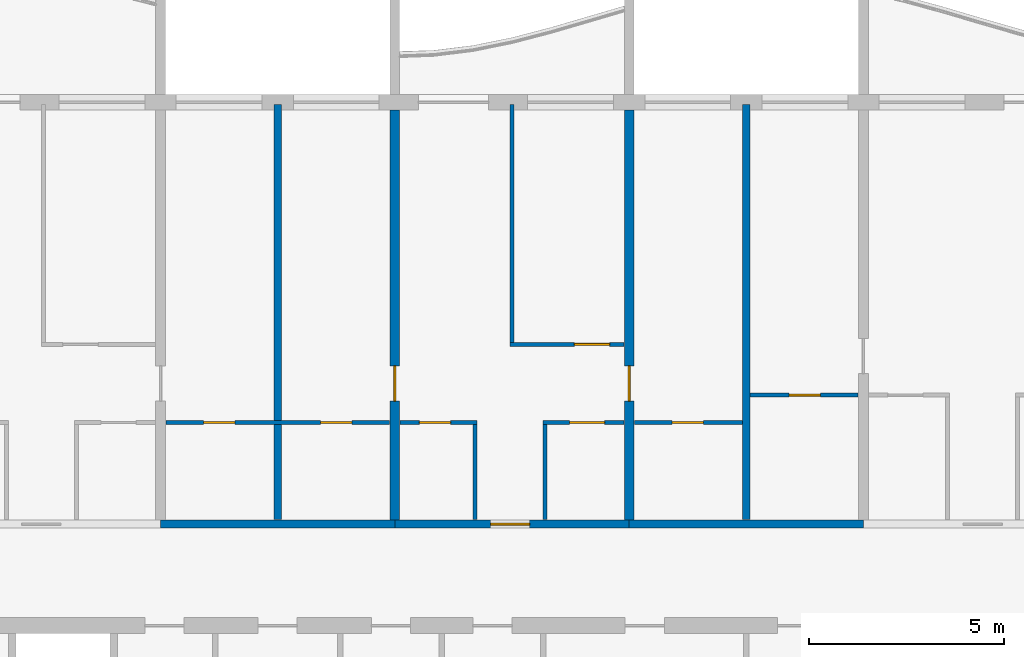
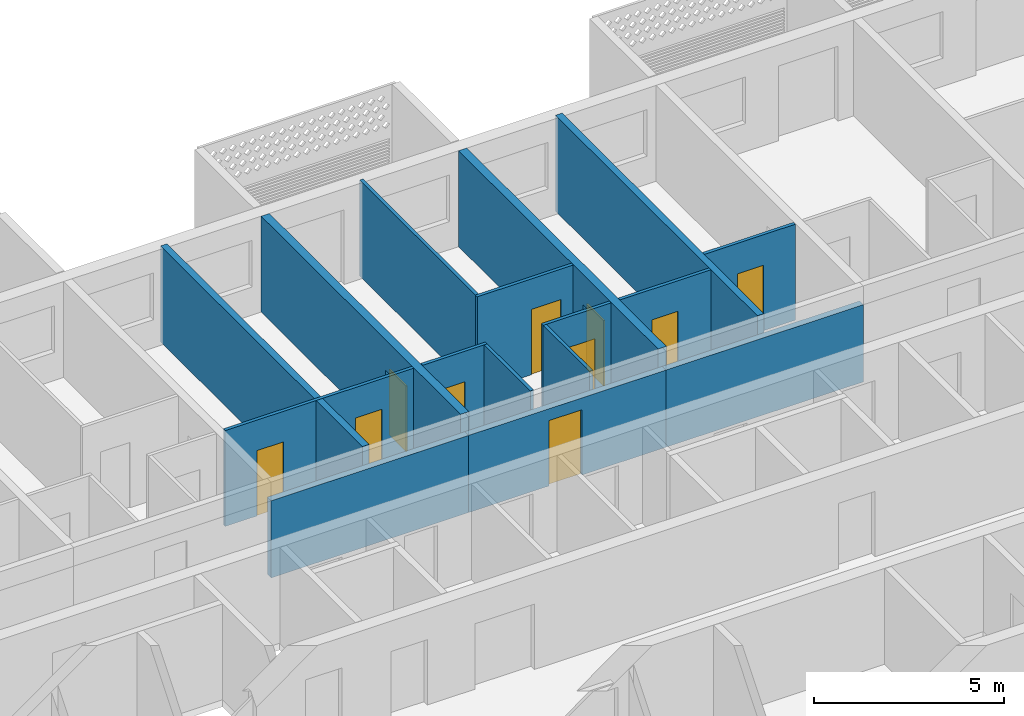
# One storey, part 9 of 27: 16 walls, 10 doors, 10 openings.
"""IFC4 building model written with IfcOpenShell, lengths in metres."""

from ifc_helpers import new_model, si_unit, direction, frame, frame_2d, origin, place, context, subcontext, project, spatial, rectangle, extrude, material, layer, layer_set, type_object, element, fill, save


model = new_model("IFC4")

# Units and contexts
model_context = context("Model", 3, precision=1e-05, world=origin(), true_north=direction((0.0, 1.0)))
body_context = subcontext(model_context, "Body", "Model", "MODEL_VIEW")
ifc_project = project(units=[si_unit("LENGTHUNIT", "METRE"), si_unit("AREAUNIT", "SQUARE_METRE"), si_unit("VOLUMEUNIT", "CUBIC_METRE"), si_unit("PLANEANGLEUNIT", "RADIAN"), si_unit("MASSUNIT", "GRAM", prefix="KILO")], contexts=[model_context])

# Site, building, storey
site_placement = place(None, origin())
site = spatial("IfcSite", under=ifc_project, at=site_placement, CompositionType="ELEMENT")
building_placement = place(site_placement, origin())
building = spatial("IfcBuilding", under=site, at=building_placement, Name="Poui Terraces", CompositionType="ELEMENT")
storey_placement = place(building_placement, frame((0.0, 0.0, 195.0)))
storey = spatial("IfcBuildingStorey", under=building, at=storey_placement, Name="L54", CompositionType="ELEMENT", Elevation=195.0)

# Wall
ifc_material_1 = material(Name="Concrete 50 MPa", Category="concrete")
ifc_layer_1 = layer(ifc_material_1, 0.199951171875)
ifc_layer_set_1 = layer_set([ifc_layer_1], Name="Concrete 50 MPa")
wall_type_1 = type_object("IfcWallType", Name="CORRIDOR WALL 200 50MPa", PredefinedType="SHEAR", material=ifc_layer_set_1)
wall_1_placement = place(storey_placement, frame((48.0, 30.39990234375, 0.0), z_axis=(0.0, 0.0, 1.0), x_axis=(1.0, 0.0, 0.0)))
element("IfcWall", 1, at=wall_1_placement, inside=storey, type_object=wall_type_1, Name="CORRIDOR WALL LINE E BAY 6", PredefinedType="SHEAR", context=body_context, shape_type="SweptSolid", body=[
    extrude(rectangle(XDim=6.0, YDim=0.199951171875, at=frame_2d((3.0, 0.0))), origin(), (0.0, 0.0, 1.0), 2.47998046875),
])

# Wall, opening, door
wall_2_placement = place(storey_placement, frame((54.0, 30.39990234375, 0.0), z_axis=(0.0, 0.0, 1.0), x_axis=(1.0, 0.0, 0.0)))
wall_2 = element("IfcWall", 2, at=wall_2_placement, inside=storey, type_object=wall_type_1, Name="CORRIDOR WALL LINE E BAY 7", PredefinedType="SHEAR", context=body_context, shape_type="SweptSolid", body=[
    extrude(rectangle(XDim=6.0, YDim=0.199951171875, at=frame_2d((3.0, 0.0))), origin(), (0.0, 0.0, 1.0), 2.47998046875),
])
opening_1_placement = place(wall_2_placement, frame((2.449951171875, 0.0, 0.0)))
opening_1 = element("IfcOpeningElement", 3, at=opening_1_placement, cuts=wall_2, Name="Opening FD30S", PredefinedType="OPENING", context=body_context, shape_type="SweptSolid", body=[
    extrude(rectangle(XDim=1.0, YDim=2.10009765625, at=frame_2d((0.5, 1.050048828125))), frame((0.0, 0.10986328125, 0.0), z_axis=(0.0, -1.0, 0.0), x_axis=(1.0, 0.0, 0.0)), (0.0, 0.0, 1.0), 0.219970703125),
])
ifc_material_2 = material(Name="Steel fire door", Category="steel")
door_type_1 = type_object("IfcDoorType", Name="FLAT ENTRANCE DOOR 1000 X 2100", OperationType="NOTDEFINED", PredefinedType="DOOR", material=ifc_material_2)
door_1_placement = place(opening_1_placement, origin())
door_1 = element("IfcDoor", 4, at=door_1_placement, inside=storey, type_object=door_type_1, Name="FLAT ENTRANCE DOOR 050", OperationType="SINGLE_SWING_LEFT", OverallHeight=2.10009765625, OverallWidth=1.0, PredefinedType="DOOR", context=body_context, shape_type="SweptSolid", body=[
    extrude(rectangle(XDim=1.0, YDim=2.10009765625, at=frame_2d((0.5, 1.050048828125))), frame((0.0, 0.02490234375, 0.0), z_axis=(0.0, -1.0, 0.0), x_axis=(1.0, 0.0, 0.0)), (0.0, 0.0, 1.0), 0.050048828125),
])
fill(opening_1, door_1)

# Wall
wall_3_placement = place(storey_placement, frame((60.0, 30.39990234375, 0.0), z_axis=(0.0, 0.0, 1.0), x_axis=(1.0, 0.0, 0.0)))
element("IfcWall", 5, at=wall_3_placement, inside=storey, type_object=wall_type_1, Name="CORRIDOR WALL LINE E BAY 8", PredefinedType="SHEAR", context=body_context, shape_type="SweptSolid", body=[
    extrude(rectangle(XDim=6.0, YDim=0.199951171875, at=frame_2d((3.0, 0.0))), origin(), (0.0, 0.0, 1.0), 2.47998046875),
])

# Wall, opening, door
ifc_layer_2 = layer(ifc_material_1, 0.25)
ifc_layer_set_2 = layer_set([ifc_layer_2], Name="Concrete 50 MPa")
wall_type_2 = type_object("IfcWallType", Name="CROSS WALL 250 50MPa", PredefinedType="SHEAR", material=ifc_layer_set_2)
wall_4_placement = place(storey_placement, frame((54.0, 30.5, 0.0), z_axis=(0.0, 0.0, 1.0), x_axis=(0.0, 1.0, 0.0)))
wall_4 = element("IfcWall", 6, at=wall_4_placement, inside=storey, type_object=wall_type_2, Name="CROSS WALL LINE 10 NORTH", PredefinedType="SHEAR", context=body_context, shape_type="SweptSolid", body=[
    extrude(rectangle(XDim=10.5, YDim=0.25, at=frame_2d((5.25, 0.0))), origin(), (0.0, 0.0, 1.0), 3.080078125),
])
opening_2_placement = place(wall_4_placement, frame((3.050048828125, 0.0, 0.0)))
opening_2 = element("IfcOpeningElement", 7, at=opening_2_placement, cuts=wall_4, Name="Opening D90", PredefinedType="OPENING", context=body_context, shape_type="SweptSolid", body=[
    extrude(rectangle(XDim=0.89990234375, YDim=2.10009765625, at=frame_2d((0.449951171875, 1.050048828125))), frame((0.0, 0.135009765625, 0.0), z_axis=(0.0, -1.0, 0.0), x_axis=(1.0, 0.0, 0.0)), (0.0, 0.0, 1.0), 0.27001953125),
])
ifc_material_3 = material(Name="Solid core timber door", Category="wood")
door_type_2 = type_object("IfcDoorType", Name="INTERNAL DOOR 900 X 2100", OperationType="NOTDEFINED", PredefinedType="DOOR", material=ifc_material_3)
door_2_placement = place(opening_2_placement, origin())
door_2 = element("IfcDoor", 8, at=door_2_placement, inside=storey, type_object=door_type_2, Name="INTERNAL DOOR 048", OperationType="SINGLE_SWING_LEFT", OverallHeight=2.10009765625, OverallWidth=0.89990234375, PredefinedType="DOOR", context=body_context, shape_type="SweptSolid", body=[
    extrude(rectangle(XDim=0.89990234375, YDim=2.10009765625, at=frame_2d((0.449951171875, 1.050048828125))), frame((0.0, 0.02490234375, 0.0), z_axis=(0.0, -1.0, 0.0), x_axis=(1.0, 0.0, 0.0)), (0.0, 0.0, 1.0), 0.050048828125),
])
fill(opening_2, door_2)

wall_5_placement = place(storey_placement, frame((60.0, 30.5, 0.0), z_axis=(0.0, 0.0, 1.0), x_axis=(0.0, 1.0, 0.0)))
wall_5 = element("IfcWall", 9, at=wall_5_placement, inside=storey, type_object=wall_type_2, Name="CROSS WALL LINE 11 NORTH", PredefinedType="SHEAR", context=body_context, shape_type="SweptSolid", body=[
    extrude(rectangle(XDim=10.5, YDim=0.25, at=frame_2d((5.25, 0.0))), origin(), (0.0, 0.0, 1.0), 3.080078125),
])
opening_3_placement = place(wall_5_placement, frame((3.050048828125, 0.0, 0.0)))
opening_3 = element("IfcOpeningElement", 10, at=opening_3_placement, cuts=wall_5, Name="Opening D90", PredefinedType="OPENING", context=body_context, shape_type="SweptSolid", body=[
    extrude(rectangle(XDim=0.89990234375, YDim=2.10009765625, at=frame_2d((0.449951171875, 1.050048828125))), frame((0.0, 0.135009765625, 0.0), z_axis=(0.0, -1.0, 0.0), x_axis=(1.0, 0.0, 0.0)), (0.0, 0.0, 1.0), 0.27001953125),
])
door_3_placement = place(opening_3_placement, frame((0.89990234375, 0.0, 0.0), z_axis=(0.0, 0.0, 1.0), x_axis=(-1.0, 0.0, 0.0)))
door_3 = element("IfcDoor", 11, at=door_3_placement, inside=storey, type_object=door_type_2, Name="INTERNAL DOOR 053", OperationType="SINGLE_SWING_RIGHT", OverallHeight=2.10009765625, OverallWidth=0.89990234375, PredefinedType="DOOR", context=body_context, shape_type="SweptSolid", body=[
    extrude(rectangle(XDim=0.89990234375, YDim=2.10009765625, at=frame_2d((0.449951171875, 1.050048828125))), frame((0.0, 0.02490234375, 0.0), z_axis=(0.0, -1.0, 0.0), x_axis=(1.0, 0.0, 0.0)), (0.0, 0.0, 1.0), 0.050048828125),
])
fill(opening_3, door_3)

# Wall, openings, doors
ifc_material_4 = material(Name="Plasterboard partition")
ifc_layer_3 = layer(ifc_material_4, 0.10009765625)
ifc_layer_set_3 = layer_set([ifc_layer_3], Name="Plasterboard partition")
wall_type_3 = type_object("IfcWallType", Name="FLAT PARTITION 100", PredefinedType="PARTITIONING", material=ifc_layer_set_3)
wall_6_placement = place(storey_placement, frame((48.135009765625, 33.0, 0.0), z_axis=(0.0, 0.0, 1.0), x_axis=(1.0, 0.0, 0.0)))
wall_6 = element("IfcWall", 12, at=wall_6_placement, inside=storey, type_object=wall_type_3, Name="FLAT PARTITION 100", PredefinedType="PARTITIONING", context=body_context, shape_type="SweptSolid", body=[
    extrude(rectangle(XDim=5.72998046875, YDim=0.10009765625, at=frame_2d((2.864990234375, 0.0))), origin(), (0.0, 0.0, 1.0), 3.080078125),
])
opening_4_placement = place(wall_6_placement, frame((0.965087890625, 0.0, 0.0)))
opening_4 = element("IfcOpeningElement", 13, at=opening_4_placement, cuts=wall_6, Name="Opening D80", PredefinedType="OPENING", context=body_context, shape_type="SweptSolid", body=[
    extrude(rectangle(XDim=0.800048828125, YDim=2.10009765625, at=frame_2d((0.39990234375, 1.050048828125))), frame((0.0, 0.06005859375, 0.0), z_axis=(0.0, -1.0, 0.0), x_axis=(1.0, 0.0, 0.0)), (0.0, 0.0, 1.0), 0.1201171875),
])
opening_5_placement = place(wall_6_placement, frame((3.965087890625, 0.0, 0.0)))
opening_5 = element("IfcOpeningElement", 14, at=opening_5_placement, cuts=wall_6, Name="Opening D80", PredefinedType="OPENING", context=body_context, shape_type="SweptSolid", body=[
    extrude(rectangle(XDim=0.800048828125, YDim=2.10009765625, at=frame_2d((0.39990234375, 1.050048828125))), frame((0.0, 0.06005859375, 0.0), z_axis=(0.0, -1.0, 0.0), x_axis=(1.0, 0.0, 0.0)), (0.0, 0.0, 1.0), 0.1201171875),
])
door_type_3 = type_object("IfcDoorType", Name="BATHROOM, LAUNDRY AND STORE DOOR 800 X 2100", OperationType="NOTDEFINED", PredefinedType="DOOR", material=ifc_material_3)
door_4_placement = place(opening_4_placement, frame((0.800048828125, 0.0, 0.0), z_axis=(0.0, 0.0, 1.0), x_axis=(-1.0, 0.0, 0.0)))
door_4 = element("IfcDoor", 15, at=door_4_placement, inside=storey, type_object=door_type_3, Name="BATHROOM, LAUNDRY AND STORE DOOR 039", OperationType="SINGLE_SWING_LEFT", OverallHeight=2.10009765625, OverallWidth=0.800048828125, PredefinedType="DOOR", context=body_context, shape_type="SweptSolid", body=[
    extrude(rectangle(XDim=0.800048828125, YDim=2.10009765625, at=frame_2d((0.39990234375, 1.050048828125))), frame((0.0, 0.02490234375, 0.0), z_axis=(0.0, -1.0, 0.0), x_axis=(1.0, 0.0, 0.0)), (0.0, 0.0, 1.0), 0.050048828125),
])
fill(opening_4, door_4)
door_5_placement = place(opening_5_placement, frame((0.800048828125, 0.0, 0.0), z_axis=(0.0, 0.0, 1.0), x_axis=(-1.0, 0.0, 0.0)))
door_5 = element("IfcDoor", 16, at=door_5_placement, inside=storey, type_object=door_type_3, Name="BATHROOM, LAUNDRY AND STORE DOOR 046", OperationType="SINGLE_SWING_RIGHT", OverallHeight=2.10009765625, OverallWidth=0.800048828125, PredefinedType="DOOR", context=body_context, shape_type="SweptSolid", body=[
    extrude(rectangle(XDim=0.800048828125, YDim=2.10009765625, at=frame_2d((0.39990234375, 1.050048828125))), frame((0.0, 0.02490234375, 0.0), z_axis=(0.0, -1.0, 0.0), x_axis=(1.0, 0.0, 0.0)), (0.0, 0.0, 1.0), 0.050048828125),
])
fill(opening_5, door_5)

# Wall, opening, door
wall_7_placement = place(storey_placement, frame((54.135009765625, 33.0, 0.0), z_axis=(0.0, 0.0, 1.0), x_axis=(1.0, 0.0, 0.0)))
wall_7 = element("IfcWall", 17, at=wall_7_placement, inside=storey, type_object=wall_type_3, Name="FLAT PARTITION 100", PredefinedType="PARTITIONING", context=body_context, shape_type="SweptSolid", body=[
    extrude(rectangle(XDim=1.965087890625, YDim=0.10009765625, at=frame_2d((0.982421875, 0.0))), origin(), (0.0, 0.0, 1.0), 3.080078125),
])
opening_6_placement = place(wall_7_placement, frame((0.489990234375, 0.0, 0.0)))
opening_6 = element("IfcOpeningElement", 18, at=opening_6_placement, cuts=wall_7, Name="Opening D80", PredefinedType="OPENING", context=body_context, shape_type="SweptSolid", body=[
    extrude(rectangle(XDim=0.800048828125, YDim=2.10009765625, at=frame_2d((0.39990234375, 1.050048828125))), frame((0.0, 0.06005859375, 0.0), z_axis=(0.0, -1.0, 0.0), x_axis=(1.0, 0.0, 0.0)), (0.0, 0.0, 1.0), 0.1201171875),
])
door_6_placement = place(opening_6_placement, frame((0.800048828125, 0.0, 0.0), z_axis=(0.0, 0.0, 1.0), x_axis=(-1.0, 0.0, 0.0)))
door_6 = element("IfcDoor", 19, at=door_6_placement, inside=storey, type_object=door_type_3, Name="BATHROOM, LAUNDRY AND STORE DOOR 049", OperationType="SINGLE_SWING_RIGHT", OverallHeight=2.10009765625, OverallWidth=0.800048828125, PredefinedType="DOOR", context=body_context, shape_type="SweptSolid", body=[
    extrude(rectangle(XDim=0.800048828125, YDim=2.10009765625, at=frame_2d((0.39990234375, 1.050048828125))), frame((0.0, 0.02490234375, 0.0), z_axis=(0.0, -1.0, 0.0), x_axis=(1.0, 0.0, 0.0)), (0.0, 0.0, 1.0), 0.050048828125),
])
fill(opening_6, door_6)

wall_8_placement = place(storey_placement, frame((57.800048828125, 33.0, 0.0), z_axis=(0.0, 0.0, 1.0), x_axis=(1.0, 0.0, 0.0)))
wall_8 = element("IfcWall", 20, at=wall_8_placement, inside=storey, type_object=wall_type_3, Name="FLAT PARTITION 100", PredefinedType="PARTITIONING", context=body_context, shape_type="SweptSolid", body=[
    extrude(rectangle(XDim=2.06494140625, YDim=0.10009765625, at=frame_2d((1.032470703125, 0.0))), origin(), (0.0, 0.0, 1.0), 3.080078125),
])
opening_7_placement = place(wall_8_placement, frame((0.675048828125, 0.0, 0.0)))
opening_7 = element("IfcOpeningElement", 21, at=opening_7_placement, cuts=wall_8, Name="Opening D90", PredefinedType="OPENING", context=body_context, shape_type="SweptSolid", body=[
    extrude(rectangle(XDim=0.89990234375, YDim=2.10009765625, at=frame_2d((0.449951171875, 1.050048828125))), frame((0.0, 0.06005859375, 0.0), z_axis=(0.0, -1.0, 0.0), x_axis=(1.0, 0.0, 0.0)), (0.0, 0.0, 1.0), 0.1201171875),
])
door_7_placement = place(opening_7_placement, frame((0.89990234375, 0.0, 0.0), z_axis=(0.0, 0.0, 1.0), x_axis=(-1.0, 0.0, 0.0)))
door_7 = element("IfcDoor", 22, at=door_7_placement, inside=storey, type_object=door_type_2, Name="INTERNAL DOOR 051", OperationType="SINGLE_SWING_LEFT", OverallHeight=2.10009765625, OverallWidth=0.89990234375, PredefinedType="DOOR", context=body_context, shape_type="SweptSolid", body=[
    extrude(rectangle(XDim=0.89990234375, YDim=2.10009765625, at=frame_2d((0.449951171875, 1.050048828125))), frame((0.0, 0.02490234375, 0.0), z_axis=(0.0, -1.0, 0.0), x_axis=(1.0, 0.0, 0.0)), (0.0, 0.0, 1.0), 0.050048828125),
])
fill(opening_7, door_7)

wall_9_placement = place(storey_placement, frame((60.135009765625, 33.0, 0.0), z_axis=(0.0, 0.0, 1.0), x_axis=(1.0, 0.0, 0.0)))
wall_9 = element("IfcWall", 23, at=wall_9_placement, inside=storey, type_object=wall_type_3, Name="FLAT PARTITION 100", PredefinedType="PARTITIONING", context=body_context, shape_type="SweptSolid", body=[
    extrude(rectangle(XDim=2.764892578125, YDim=0.10009765625, at=frame_2d((1.38232421875, 0.0))), origin(), (0.0, 0.0, 1.0), 3.080078125),
])
opening_8_placement = place(wall_9_placement, frame((0.965087890625, 0.0, 0.0)))
opening_8 = element("IfcOpeningElement", 24, at=opening_8_placement, cuts=wall_9, Name="Opening D80", PredefinedType="OPENING", context=body_context, shape_type="SweptSolid", body=[
    extrude(rectangle(XDim=0.800048828125, YDim=2.10009765625, at=frame_2d((0.39990234375, 1.050048828125))), frame((0.0, 0.06005859375, 0.0), z_axis=(0.0, -1.0, 0.0), x_axis=(1.0, 0.0, 0.0)), (0.0, 0.0, 1.0), 0.1201171875),
])
door_8_placement = place(opening_8_placement, frame((0.800048828125, 0.0, 0.0), z_axis=(0.0, 0.0, 1.0), x_axis=(-1.0, 0.0, 0.0)))
door_8 = element("IfcDoor", 25, at=door_8_placement, inside=storey, type_object=door_type_3, Name="BATHROOM, LAUNDRY AND STORE DOOR 047", OperationType="SINGLE_SWING_RIGHT", OverallHeight=2.10009765625, OverallWidth=0.800048828125, PredefinedType="DOOR", context=body_context, shape_type="SweptSolid", body=[
    extrude(rectangle(XDim=0.800048828125, YDim=2.10009765625, at=frame_2d((0.39990234375, 1.050048828125))), frame((0.0, 0.02490234375, 0.0), z_axis=(0.0, -1.0, 0.0), x_axis=(1.0, 0.0, 0.0)), (0.0, 0.0, 1.0), 0.050048828125),
])
fill(opening_8, door_8)

wall_10_placement = place(storey_placement, frame((63.10009765625, 33.699951171875, 0.0), z_axis=(0.0, 0.0, 1.0), x_axis=(1.0, 0.0, 0.0)))
wall_10 = element("IfcWall", 26, at=wall_10_placement, inside=storey, type_object=wall_type_3, Name="FLAT PARTITION 100", PredefinedType="PARTITIONING", context=body_context, shape_type="SweptSolid", body=[
    extrude(rectangle(XDim=2.764892578125, YDim=0.10009765625, at=frame_2d((1.38232421875, 0.0))), origin(), (0.0, 0.0, 1.0), 3.080078125),
])
opening_9_placement = place(wall_10_placement, frame((1.0, 0.0, 0.0)))
opening_9 = element("IfcOpeningElement", 27, at=opening_9_placement, cuts=wall_10, Name="Opening D80", PredefinedType="OPENING", context=body_context, shape_type="SweptSolid", body=[
    extrude(rectangle(XDim=0.800048828125, YDim=2.10009765625, at=frame_2d((0.39990234375, 1.050048828125))), frame((0.0, 0.06005859375, 0.0), z_axis=(0.0, -1.0, 0.0), x_axis=(1.0, 0.0, 0.0)), (0.0, 0.0, 1.0), 0.1201171875),
])
door_9_placement = place(opening_9_placement, frame((0.800048828125, 0.0, 0.0), z_axis=(0.0, 0.0, 1.0), x_axis=(-1.0, 0.0, 0.0)))
door_9 = element("IfcDoor", 28, at=door_9_placement, inside=storey, type_object=door_type_3, Name="BATHROOM, LAUNDRY AND STORE DOOR 054", OperationType="SINGLE_SWING_LEFT", OverallHeight=2.10009765625, OverallWidth=0.800048828125, PredefinedType="DOOR", context=body_context, shape_type="SweptSolid", body=[
    extrude(rectangle(XDim=0.800048828125, YDim=2.10009765625, at=frame_2d((0.39990234375, 1.050048828125))), frame((0.0, 0.02490234375, 0.0), z_axis=(0.0, -1.0, 0.0), x_axis=(1.0, 0.0, 0.0)), (0.0, 0.0, 1.0), 0.050048828125),
])
fill(opening_9, door_9)

wall_11_placement = place(storey_placement, frame((56.949951171875, 35.0, 0.0), z_axis=(0.0, 0.0, 1.0), x_axis=(1.0, 0.0, 0.0)))
wall_11 = element("IfcWall", 29, at=wall_11_placement, inside=storey, type_object=wall_type_3, Name="FLAT PARTITION 100", PredefinedType="PARTITIONING", context=body_context, shape_type="SweptSolid", body=[
    extrude(rectangle(XDim=2.9150390625, YDim=0.10009765625, at=frame_2d((1.45751953125, 0.0))), origin(), (0.0, 0.0, 1.0), 3.080078125),
])
opening_10_placement = place(wall_11_placement, frame((1.64990234375, 0.0, 0.0)))
opening_10 = element("IfcOpeningElement", 30, at=opening_10_placement, cuts=wall_11, Name="Opening D90", PredefinedType="OPENING", context=body_context, shape_type="SweptSolid", body=[
    extrude(rectangle(XDim=0.89990234375, YDim=2.10009765625, at=frame_2d((0.449951171875, 1.050048828125))), frame((0.0, 0.06005859375, 0.0), z_axis=(0.0, -1.0, 0.0), x_axis=(1.0, 0.0, 0.0)), (0.0, 0.0, 1.0), 0.1201171875),
])
door_10_placement = place(opening_10_placement, frame((0.89990234375, 0.0, 0.0), z_axis=(0.0, 0.0, 1.0), x_axis=(-1.0, 0.0, 0.0)))
door_10 = element("IfcDoor", 31, at=door_10_placement, inside=storey, type_object=door_type_2, Name="INTERNAL DOOR 052", OperationType="SINGLE_SWING_RIGHT", OverallHeight=2.10009765625, OverallWidth=0.89990234375, PredefinedType="DOOR", context=body_context, shape_type="SweptSolid", body=[
    extrude(rectangle(XDim=0.89990234375, YDim=2.10009765625, at=frame_2d((0.449951171875, 1.050048828125))), frame((0.0, 0.02490234375, 0.0), z_axis=(0.0, -1.0, 0.0), x_axis=(1.0, 0.0, 0.0)), (0.0, 0.0, 1.0), 0.050048828125),
])
fill(opening_10, door_10)

# Walls
wall_12_placement = place(storey_placement, frame((56.050048828125, 30.510009765625, 0.0), z_axis=(0.0, 0.0, 1.0), x_axis=(0.0, 1.0, 0.0)))
element("IfcWall", 32, at=wall_12_placement, inside=storey, type_object=wall_type_3, Name="FLAT PARTITION 100", PredefinedType="PARTITIONING", context=body_context, shape_type="SweptSolid", body=[
    extrude(rectangle(XDim=2.43994140625, YDim=0.10009765625, at=frame_2d((1.219970703125, 0.0))), origin(), (0.0, 0.0, 1.0), 3.080078125),
])
wall_13_placement = place(storey_placement, frame((57.0, 35.050048828125, 0.0), z_axis=(0.0, 0.0, 1.0), x_axis=(0.0, 1.0, 0.0)))
element("IfcWall", 33, at=wall_13_placement, inside=storey, type_object=wall_type_3, Name="FLAT PARTITION 100", PredefinedType="PARTITIONING", context=body_context, shape_type="SweptSolid", body=[
    extrude(rectangle(XDim=6.08984375, YDim=0.10009765625, at=frame_2d((3.044921875, 0.0))), origin(), (0.0, 0.0, 1.0), 3.080078125),
])
wall_14_placement = place(storey_placement, frame((57.85009765625, 30.510009765625, 0.0), z_axis=(0.0, 0.0, 1.0), x_axis=(0.0, 1.0, 0.0)))
element("IfcWall", 34, at=wall_14_placement, inside=storey, type_object=wall_type_3, Name="FLAT PARTITION 100", PredefinedType="PARTITIONING", context=body_context, shape_type="SweptSolid", body=[
    extrude(rectangle(XDim=2.43994140625, YDim=0.10009765625, at=frame_2d((1.219970703125, 0.0))), origin(), (0.0, 0.0, 1.0), 3.080078125),
])
ifc_material_5 = material(Name="Fire-rated masonry wall", Category="masonry")
ifc_layer_4 = layer(ifc_material_5, 0.199951171875)
ifc_layer_set_4 = layer_set([ifc_layer_4], Name="Fire-rated masonry wall")
wall_type_4 = type_object("IfcWallType", Name="FLAT PARTY WALL 200", PredefinedType="PARTITIONING", material=ifc_layer_set_4)
for number, where, z_axis, x_axis, name in (
    (35, (51.0, 30.510009765625, 0.0), (0.0, 0.0, 1.0), (0.0, 1.0, 0.0), "FLAT PARTY WALL 200"),
    (36, (63.0, 30.510009765625, 0.0), (0.0, 0.0, 1.0), (0.0, 1.0, 0.0), "FLAT PARTY WALL 200"),
):
    element("IfcWall", number, at=place(storey_placement, frame(where, z_axis=z_axis, x_axis=x_axis)), inside=storey, type_object=wall_type_4, Name=name, PredefinedType="PARTITIONING", context=body_context, shape_type="SweptSolid", body=[
        extrude(rectangle(XDim=10.6298828125, YDim=0.199951171875, at=frame_2d((5.31494140625, 0.0))), origin(), (0.0, 0.0, 1.0), 3.080078125),
    ])

save(model, "model.ifc")
